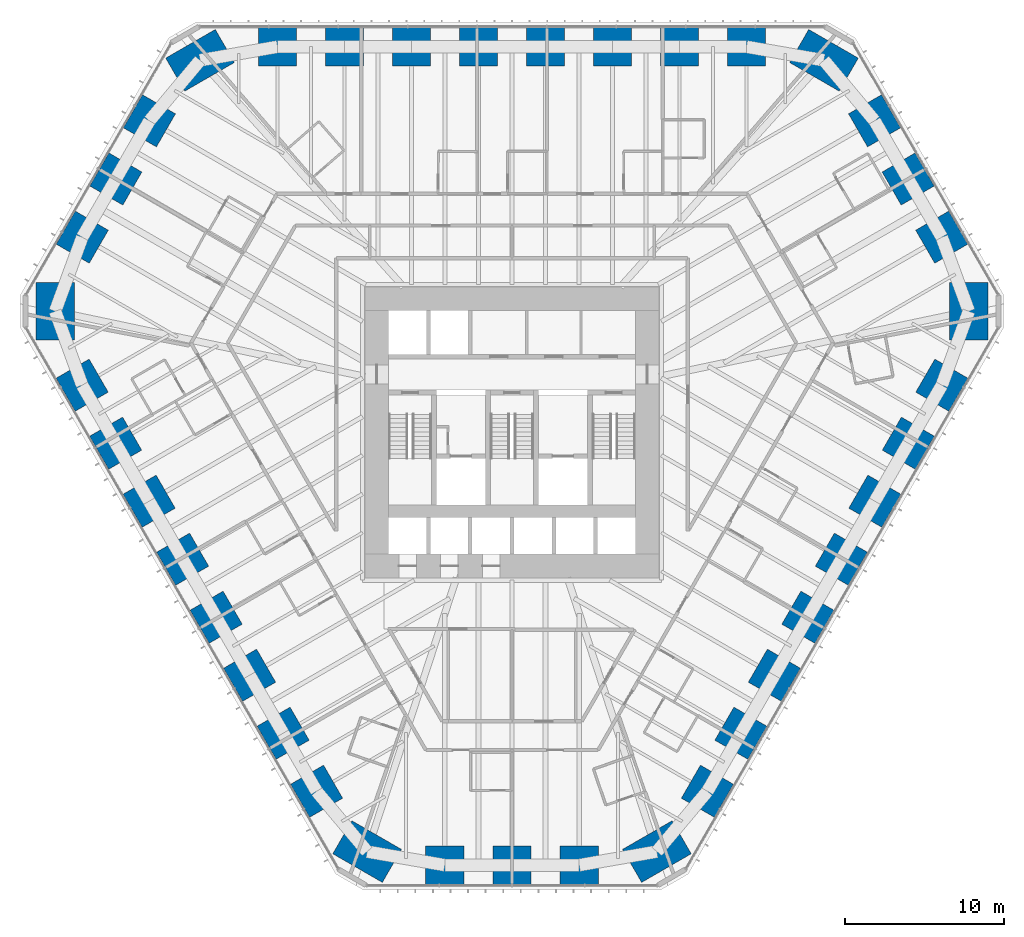
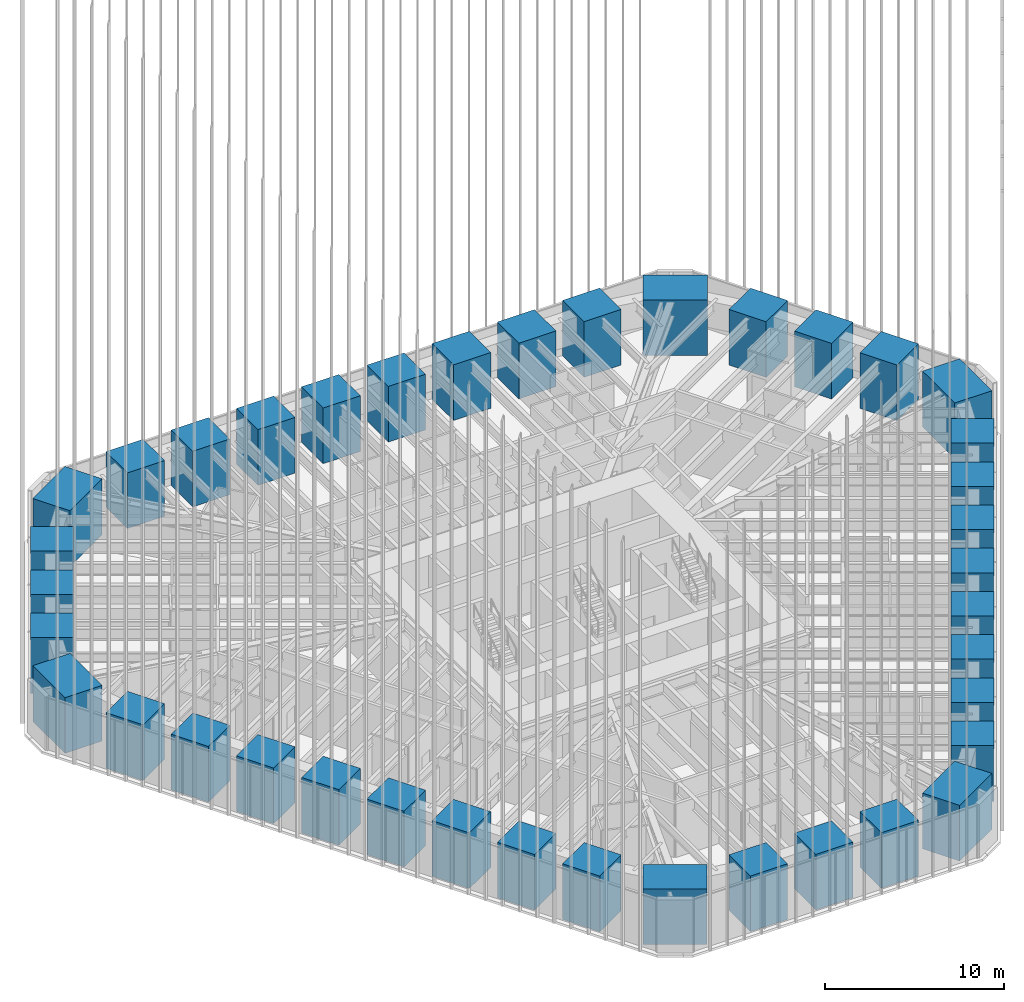
# One storey, part 1 of 256: 39 columns.
"""IFC4 building model written with IfcOpenShell, lengths in metres."""

from ifc_helpers import new_model, si_unit, direction, frame, origin, origin_2d, place, context, subcontext, project, spatial, rectangle, extrude, material, material_profile, profile_set, type_object, element, save


model = new_model("IFC4")

# Units and contexts
model_context = context("Model", 3, precision=1e-05, world=origin(), true_north=direction((0.0, 1.0)))
body_context = subcontext(model_context, "Body", "Model", "MODEL_VIEW")
ifc_project = project(units=[si_unit("LENGTHUNIT", "METRE"), si_unit("AREAUNIT", "SQUARE_METRE"), si_unit("VOLUMEUNIT", "CUBIC_METRE"), si_unit("PLANEANGLEUNIT", "RADIAN"), si_unit("MASSUNIT", "GRAM", prefix="KILO")], contexts=[model_context])

# Site, building, storey
site_placement = place(None, origin())
site = spatial("IfcSite", under=ifc_project, at=site_placement, CompositionType="ELEMENT")
building_placement = place(site_placement, origin())
building = spatial("IfcBuilding", under=site, at=building_placement, Name="Sandreach Pilgrim Tower", CompositionType="ELEMENT")
storey_placement = place(building_placement, frame((0.0, 0.0, 23.0)))
storey = spatial("IfcBuildingStorey", under=building, at=storey_placement, Name="L04", CompositionType="ELEMENT", Elevation=23.0)

# Columns
ifc_material_1 = material(Name="Concrete 10000 psi", Category="concrete")
ifc_material_profile_1 = material_profile(ifc_material_1, rectangle(XDim=2.39990234375, YDim=2.39990234375, at=origin_2d()), Name="RC2400X2400")
ifc_profile_set_1 = profile_set([ifc_material_profile_1], Name="Concrete 10000 psi")
column_type_1 = type_object("IfcColumnType", Name="Tube column RC2400X2400", PredefinedType="COLUMN", material=ifc_profile_set_1)
for number, where, z_axis, x_axis, name in (
    (1, (-14.734619140625, 22.688720703125, 0.0), (0.0, 0.0, 1.0), (0.0, 1.0, 0.0), "COL L04 T01"),
    (2, (-10.52490234375, 22.688720703125, 0.0), (0.0, 0.0, 1.0), (0.0, 1.0, 0.0), "COL L04 T02"),
    (3, (-6.31494140625, 22.688720703125, 0.0), (0.0, 0.0, 1.0), (0.0, 1.0, 0.0), "COL L04 T03"),
    (4, (-2.10498046875, 22.688720703125, 0.0), (0.0, 0.0, 1.0), (0.0, 1.0, 0.0), "COL L04 T04"),
    (5, (2.10498046875, 22.688720703125, 0.0), (0.0, 0.0, 1.0), (0.0, 1.0, 0.0), "COL L04 T05"),
    (6, (6.31494140625, 22.688720703125, 0.0), (0.0, 0.0, 1.0), (0.0, 1.0, 0.0), "COL L04 T06"),
    (7, (10.52490234375, 22.688720703125, 0.0), (0.0, 0.0, 1.0), (0.0, 1.0, 0.0), "COL L04 T07"),
    (8, (14.734619140625, 22.688720703125, 0.0), (0.0, 0.0, 1.0), (0.0, 1.0, 0.0), "COL L04 T08"),
    (9, (22.787841796875, 18.031982421875, 0.0), (0.0, 0.0, 1.0), (0.866025403784, 0.5, 0.0), "COL L04 T10"),
    (10, (24.89892578125, 14.37548828125, 0.0), (0.0, 0.0, 1.0), (0.866025403784, 0.5, 0.0), "COL L04 T11"),
    (11, (27.01025390625, 10.71875, 0.0), (0.0, 0.0, 1.0), (0.866025403784, 0.5, 0.0), "COL L04 T12"),
    (12, (27.016357421875, 1.416259765625, 0.0), (0.0, 0.0, 1.0), (0.866025403784, -0.5, 0.0), "COL L04 T14"),
    (13, (24.911376953125, -2.229736328125, 0.0), (0.0, 0.0, 1.0), (0.866025403784, -0.5, 0.0), "COL L04 T15"),
    (14, (22.806396484375, -5.87548828125, 0.0), (0.0, 0.0, 1.0), (0.866025403784, -0.5, 0.0), "COL L04 T16"),
    (15, (20.701416015625, -9.521484375, 0.0), (0.0, 0.0, 1.0), (0.866025403784, -0.5, 0.0), "COL L04 T17"),
    (16, (18.596435546875, -13.167236328125, 0.0), (0.0, 0.0, 1.0), (0.866025403784, -0.5, 0.0), "COL L04 T18"),
    (17, (16.491455078125, -16.813232421875, 0.0), (0.0, 0.0, 1.0), (0.866025403784, -0.5, 0.0), "COL L04 T19"),
    (18, (14.38671875, -20.458984375, 0.0), (0.0, 0.0, 1.0), (0.866025403784, -0.5, 0.0), "COL L04 T20"),
    (19, (12.28173828125, -24.10498046875, 0.0), (0.0, 0.0, 1.0), (0.866025403784, -0.5, 0.0), "COL L04 T21"),
    (20, (4.222412109375, -28.7509765625, 0.0), (0.0, 0.0, 1.0), (0.0, -1.0, 0.0), "COL L04 T23"),
    (21, (0.0, -28.7509765625, 0.0), (0.0, 0.0, 1.0), (0.0, -1.0, 0.0), "COL L04 T24"),
    (22, (-4.222412109375, -28.7509765625, 0.0), (0.0, 0.0, 1.0), (0.0, -1.0, 0.0), "COL L04 T25"),
    (23, (-12.28173828125, -24.10498046875, 0.0), (0.0, 0.0, 1.0), (-0.866025403784, -0.5, 0.0), "COL L04 T27"),
    (24, (-14.38671875, -20.458984375, 0.0), (0.0, 0.0, 1.0), (-0.866025403784, -0.5, 0.0), "COL L04 T28"),
    (25, (-16.491455078125, -16.813232421875, 0.0), (0.0, 0.0, 1.0), (-0.866025403784, -0.5, 0.0), "COL L04 T29"),
    (26, (-18.596435546875, -13.167236328125, 0.0), (0.0, 0.0, 1.0), (-0.866025403784, -0.5, 0.0), "COL L04 T30"),
    (27, (-20.701416015625, -9.521484375, 0.0), (0.0, 0.0, 1.0), (-0.866025403784, -0.5, 0.0), "COL L04 T31"),
    (28, (-22.806396484375, -5.87548828125, 0.0), (0.0, 0.0, 1.0), (-0.866025403784, -0.5, 0.0), "COL L04 T32"),
    (29, (-24.911376953125, -2.229736328125, 0.0), (0.0, 0.0, 1.0), (-0.866025403784, -0.5, 0.0), "COL L04 T33"),
    (30, (-27.016357421875, 1.416259765625, 0.0), (0.0, 0.0, 1.0), (-0.866025403784, -0.5, 0.0), "COL L04 T34"),
    (31, (-27.01025390625, 10.71875, 0.0), (0.0, 0.0, 1.0), (-0.866025403784, 0.5, 0.0), "COL L04 T36"),
    (32, (-24.89892578125, 14.37548828125, 0.0), (0.0, 0.0, 1.0), (-0.866025403784, 0.5, 0.0), "COL L04 T37"),
    (33, (-22.787841796875, 18.031982421875, 0.0), (0.0, 0.0, 1.0), (-0.866025403784, 0.5, 0.0), "COL L04 T38"),
):
    element("IfcColumn", number, at=place(storey_placement, frame(where, z_axis=z_axis, x_axis=x_axis)), inside=storey, type_object=column_type_1, Name=name, PredefinedType="COLUMN", context=body_context, shape_type="SweptSolid", body=[
        extrude(rectangle(XDim=2.39990234375, YDim=2.39990234375, at=origin_2d()), origin(), (0.0, 0.0, 1.0), 3.800048828125),
    ])
ifc_material_2 = material(Name="Concrete 10000 psi", Category="concrete")
ifc_material_profile_2 = material_profile(ifc_material_2, rectangle(XDim=2.39990234375, YDim=3.60009765625, at=origin_2d()), Name="RC2400X3600")
ifc_profile_set_2 = profile_set([ifc_material_profile_2], Name="Concrete 10000 psi")
column_type_2 = type_object("IfcColumnType", Name="Tube corner pier RC2400X3600", PredefinedType="COLUMN", material=ifc_profile_set_2)
for number, where, z_axis, x_axis, name in (
    (34, (19.6064453125, 21.834716796875, 0.0), (0.0, 0.0, 1.0), (0.5, 0.866025403784, 0.0), "COL L04 T09"),
    (35, (28.712646484375, 6.062255859375, 0.0), (0.0, 0.0, 1.0), (1.0, 0.0, 0.0), "COL L04 T13"),
    (36, (9.1064453125, -27.89697265625, 0.0), (0.0, 0.0, 1.0), (0.5, -0.866025403784, 0.0), "COL L04 T22"),
    (37, (-9.1064453125, -27.89697265625, 0.0), (0.0, 0.0, 1.0), (-0.5, -0.866025403784, 0.0), "COL L04 T26"),
    (38, (-28.712646484375, 6.062255859375, 0.0), (0.0, 0.0, 1.0), (-1.0, 0.0, 0.0), "COL L04 T35"),
    (39, (-19.6064453125, 21.834716796875, 0.0), (0.0, 0.0, 1.0), (-0.5, 0.866025403784, 0.0), "COL L04 T39"),
):
    element("IfcColumn", number, at=place(storey_placement, frame(where, z_axis=z_axis, x_axis=x_axis)), inside=storey, type_object=column_type_2, Name=name, PredefinedType="COLUMN", context=body_context, shape_type="SweptSolid", body=[
        extrude(rectangle(XDim=2.39990234375, YDim=3.60009765625, at=origin_2d()), origin(), (0.0, 0.0, 1.0), 3.800048828125),
    ])

save(model, "model.ifc")
